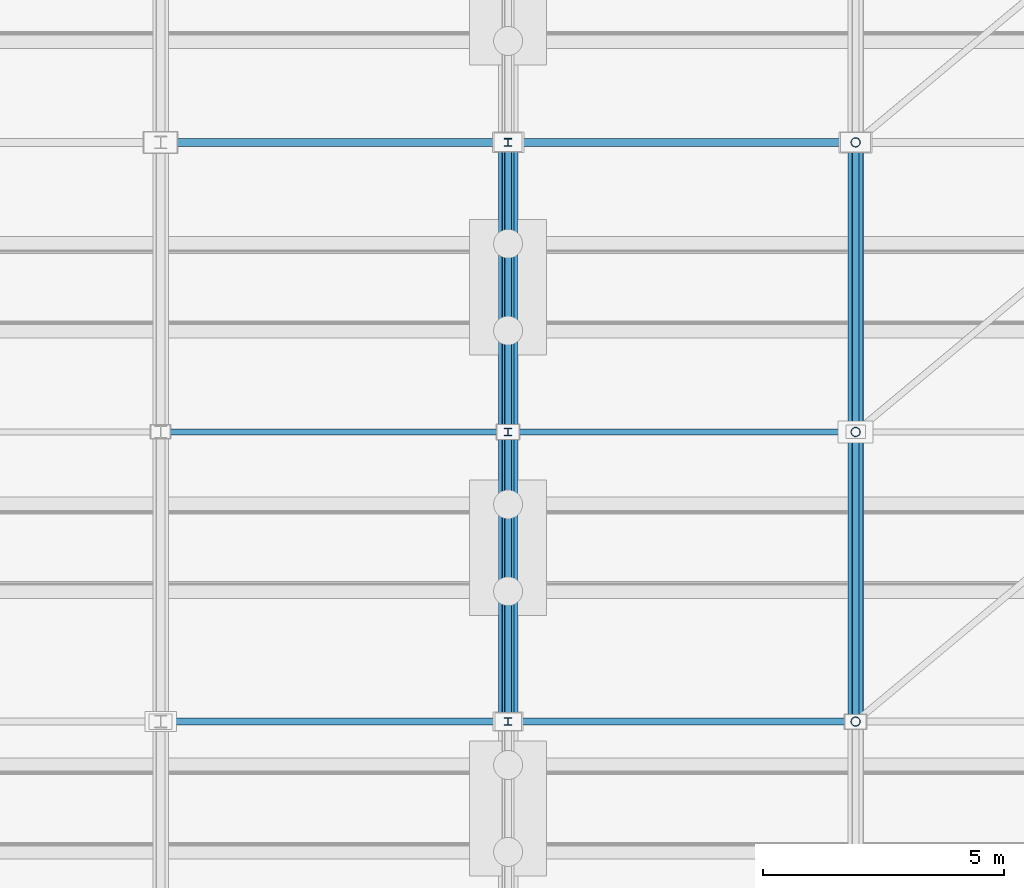
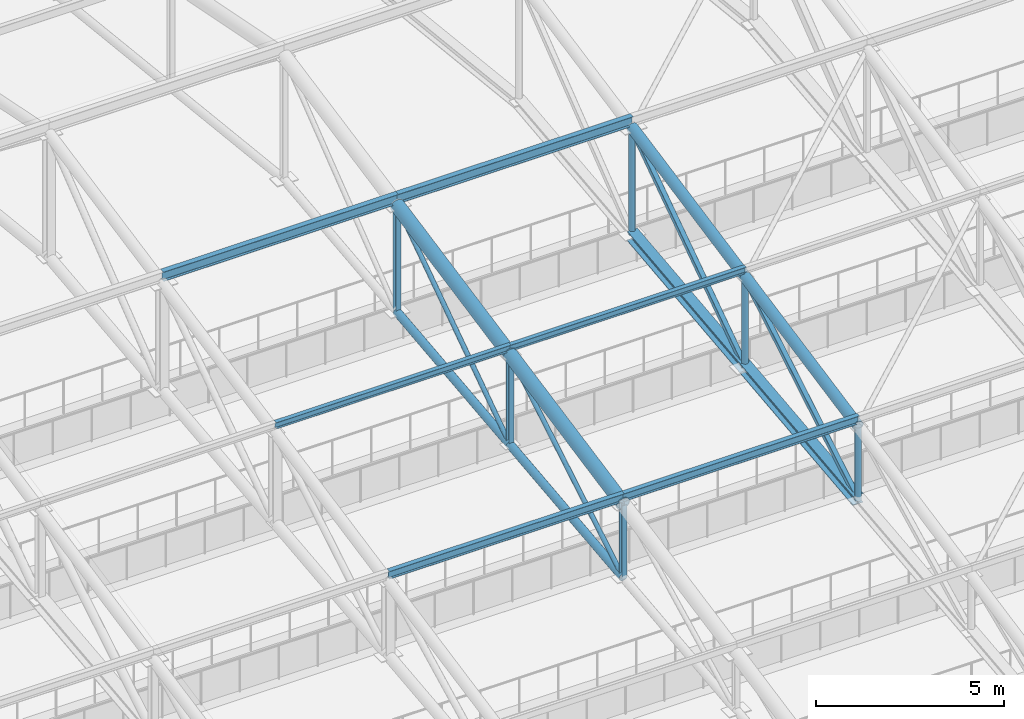
# One storey, part 144 of 293: 24 members.
"""IFC4 building model written with IfcOpenShell, lengths in metres."""

from ifc_helpers import new_model, si_unit, direction, frame, origin, origin_2d, place, context, subcontext, project, spatial, hollow_rectangle, hollow_circle, i_section, extrude, material, material_profile, profile_set, type_object, element, save


model = new_model("IFC4")

# Units and contexts
model_context = context("Model", 3, precision=1e-05, world=origin(), true_north=direction((0.0, 1.0)))
body_context = subcontext(model_context, "Body", "Model", "MODEL_VIEW")
ifc_project = project(units=[si_unit("LENGTHUNIT", "METRE"), si_unit("AREAUNIT", "SQUARE_METRE"), si_unit("VOLUMEUNIT", "CUBIC_METRE"), si_unit("PLANEANGLEUNIT", "RADIAN"), si_unit("MASSUNIT", "GRAM", prefix="KILO")], contexts=[model_context])

# Site, building, storey
site_placement = place(None, origin())
site = spatial("IfcSite", under=ifc_project, at=site_placement, CompositionType="ELEMENT")
building_placement = place(site_placement, origin())
building = spatial("IfcBuilding", under=site, at=building_placement, Name="Kemerveld Promenade Tramway Depot", CompositionType="ELEMENT")
storey_placement = place(building_placement, origin())
storey = spatial("IfcBuildingStorey", under=building, at=storey_placement, Name="L00", CompositionType="ELEMENT", Elevation=0.0)

# Members
ifc_material = material(Name="Steel S355", Category="steel")
ifc_material_profile_1 = material_profile(ifc_material, i_section(OverallWidth=0.154296875, OverallDepth=0.161865234375, WebThickness=0.008056640625, FlangeThickness=0.011474609375, FilletRadius=0.007568359375, at=origin_2d()), Name="152x152x37 UC")
ifc_profile_set_1 = profile_set([ifc_material_profile_1], Name="Steel S355")
member_type_1 = type_object("IfcMemberType", Name="MB-M05", PredefinedType="POST", material=ifc_profile_set_1)
member_1_placement = place(storey_placement, frame((100.800048828125, 96.0, 11.1201171875), z_axis=(0.0, 0.0, 1.0), x_axis=(1.0, 0.0, 0.0)))
element("IfcMember", 1, at=member_1_placement, inside=storey, type_object=member_type_1, Name="TR-15-VT-02", PredefinedType="POST", context=body_context, shape_type="SweptSolid", body=[
    extrude(i_section(OverallWidth=0.154296875, OverallDepth=0.161865234375, WebThickness=0.008056640625, FlangeThickness=0.011474609375, FilletRadius=0.007568359375, at=origin_2d()), origin(), (0.0, 0.0, 1.0), 2.3798828125),
])
member_2_placement = place(storey_placement, frame((100.800048828125, 102.0, 11.780029296875), z_axis=(0.0, 0.0, 1.0), x_axis=(1.0, 0.0, 0.0)))
element("IfcMember", 2, at=member_2_placement, inside=storey, type_object=member_type_1, Name="TR-15-VT-03", PredefinedType="POST", context=body_context, shape_type="SweptSolid", body=[
    extrude(i_section(OverallWidth=0.154296875, OverallDepth=0.161865234375, WebThickness=0.008056640625, FlangeThickness=0.011474609375, FilletRadius=0.007568359375, at=origin_2d()), origin(), (0.0, 0.0, 1.0), 2.919921875),
])
member_3_placement = place(storey_placement, frame((100.800048828125, 108.0, 12.43994140625), z_axis=(0.0, 0.0, 1.0), x_axis=(1.0, 0.0, 0.0)))
element("IfcMember", 3, at=member_3_placement, inside=storey, type_object=member_type_1, Name="TR-15-VT-04", PredefinedType="POST", context=body_context, shape_type="SweptSolid", body=[
    extrude(i_section(OverallWidth=0.154296875, OverallDepth=0.161865234375, WebThickness=0.008056640625, FlangeThickness=0.011474609375, FilletRadius=0.007568359375, at=origin_2d()), origin(), (0.0, 0.0, 1.0), 3.4599609375),
])
ifc_material_profile_2 = material_profile(ifc_material, i_section(OverallWidth=0.165771484375, OverallDepth=0.306640625, WebThickness=0.006591796875, FlangeThickness=0.01171875, FilletRadius=0.0087890625, at=origin_2d()), Name="305x165x46 UB")
ifc_profile_set_2 = profile_set([ifc_material_profile_2], Name="Steel S355")
member_type_2 = type_object("IfcMemberType", Name="MB-M06", PredefinedType="PURLIN", material=ifc_profile_set_2)
for number, where, z_axis, x_axis, name in (
    (4, (93.60009765625, 108.0, 16.14501953125), (1.0, 0.0, 0.0), (0.0, 1.0, 0.0), "PUR-V1-04-14"),
    (5, (100.800048828125, 108.0, 16.14501953125), (1.0, 0.0, 0.0), (0.0, 1.0, 0.0), "PUR-V1-04-15"),
):
    element("IfcMember", number, at=place(storey_placement, frame(where, z_axis=z_axis, x_axis=x_axis)), inside=storey, type_object=member_type_2, Name=name, PredefinedType="PURLIN", context=body_context, shape_type="SweptSolid", body=[
        extrude(i_section(OverallWidth=0.165771484375, OverallDepth=0.306640625, WebThickness=0.006591796875, FlangeThickness=0.01171875, FilletRadius=0.0087890625, at=origin_2d()), origin(), (0.0, 0.0, 1.0), 7.199951171875),
    ])
ifc_material_profile_3 = material_profile(ifc_material, i_section(OverallWidth=0.146484375, OverallDepth=0.256103515625, WebThickness=0.00634765625, FlangeThickness=0.010986328125, FilletRadius=0.007568359375, at=origin_2d()), Name="254x146x37 UB")
ifc_profile_set_3 = profile_set([ifc_material_profile_3], Name="Steel S355")
member_type_3 = type_object("IfcMemberType", Name="MB-PR3", PredefinedType="PURLIN", material=ifc_profile_set_3)
for number, where, z_axis, x_axis, name in (
    (6, (93.60009765625, 96.0, 13.7451171875), (1.0, 0.0, 0.0), (0.0, 1.0, 0.0), "PUR-V1-02-14"),
    (7, (100.800048828125, 96.0, 13.7451171875), (1.0, 0.0, 0.0), (0.0, 1.0, 0.0), "PUR-V1-02-15"),
):
    element("IfcMember", number, at=place(storey_placement, frame(where, z_axis=z_axis, x_axis=x_axis)), inside=storey, type_object=member_type_3, Name=name, PredefinedType="PURLIN", context=body_context, shape_type="SweptSolid", body=[
        extrude(i_section(OverallWidth=0.146484375, OverallDepth=0.256103515625, WebThickness=0.00634765625, FlangeThickness=0.010986328125, FilletRadius=0.007568359375, at=origin_2d()), origin(), (0.0, 0.0, 1.0), 7.199951171875),
    ])
ifc_material_profile_4 = material_profile(ifc_material, i_section(OverallWidth=0.13330078125, OverallDepth=0.203125, WebThickness=0.005615234375, FlangeThickness=0.0078125, FilletRadius=0.007568359375, at=origin_2d()), Name="203x133x25 UB")
ifc_profile_set_4 = profile_set([ifc_material_profile_4], Name="Steel S355")
member_type_4 = type_object("IfcMemberType", Name="MB-PR4", PredefinedType="PURLIN", material=ifc_profile_set_4)
for number, where, z_axis, x_axis, name in (
    (8, (93.60009765625, 102.0, 14.945068359375), (1.0, 0.0, 0.0), (0.0, 1.0, 0.0), "PUR-V1-03-14"),
    (9, (100.800048828125, 102.0, 14.945068359375), (1.0, 0.0, 0.0), (0.0, 1.0, 0.0), "PUR-V1-03-15"),
):
    element("IfcMember", number, at=place(storey_placement, frame(where, z_axis=z_axis, x_axis=x_axis)), inside=storey, type_object=member_type_4, Name=name, PredefinedType="PURLIN", context=body_context, shape_type="SweptSolid", body=[
        extrude(i_section(OverallWidth=0.13330078125, OverallDepth=0.203125, WebThickness=0.005615234375, FlangeThickness=0.0078125, FilletRadius=0.007568359375, at=origin_2d()), origin(), (0.0, 0.0, 1.0), 7.199951171875),
    ])
ifc_material_profile_5 = material_profile(ifc_material, hollow_circle(Radius=0.06982421875, WallThickness=0.00634765625, at=origin_2d()), Name="139.7x6.3 CHS")
ifc_profile_set_5 = profile_set([ifc_material_profile_5], Name="Steel S355")
member_type_5 = type_object("IfcMemberType", Name="MB-TB3", PredefinedType="BRACE", material=ifc_profile_set_5)
member_4_placement = place(storey_placement, frame((100.800048828125, 96.0, 11.1201171875), z_axis=(0.0, 0.8587636701, 0.512371895128), x_axis=(-1.0, 0.0, 0.0)))
element("IfcMember", 10, at=member_4_placement, inside=storey, type_object=member_type_5, Name="TR-15-DG-03", PredefinedType="BRACE", context=body_context, shape_type="SweptSolid", body=[
    extrude(hollow_circle(Radius=0.06982421875, WallThickness=0.00634765625, at=origin_2d()), origin(), (0.0, 0.0, 1.0), 6.98681640625),
])
member_5_placement = place(storey_placement, frame((100.800048828125, 102.0, 11.780029296875), z_axis=(0.0, 0.824370638462, 0.566050395673), x_axis=(-1.0, 0.0, 0.0)))
element("IfcMember", 11, at=member_5_placement, inside=storey, type_object=member_type_5, Name="TR-15-DG-04", PredefinedType="BRACE", context=body_context, shape_type="SweptSolid", body=[
    extrude(hollow_circle(Radius=0.06982421875, WallThickness=0.00634765625, at=origin_2d()), origin(), (0.0, 0.0, 1.0), 7.2783203125),
])
ifc_material_profile_6 = material_profile(ifc_material, hollow_rectangle(XDim=0.14990234375, YDim=0.14990234375, WallThickness=0.008056640625, InnerFilletRadius=0.00390625, OuterFilletRadius=0.011962890625, at=origin_2d()), Name="150x150x8.0 SHS")
ifc_profile_set_6 = profile_set([ifc_material_profile_6], Name="Steel S355")
member_type_6 = type_object("IfcMemberType", Name="MB-TB4", PredefinedType="BRACE", material=ifc_profile_set_6)
member_6_placement = place(storey_placement, frame((108.0, 96.0, 11.1201171875), z_axis=(0.0, 0.8587636701, 0.512371895128), x_axis=(-1.0, 0.0, 0.0)))
element("IfcMember", 12, at=member_6_placement, inside=storey, type_object=member_type_6, Name="TR-16-DG-03", PredefinedType="BRACE", context=body_context, shape_type="SweptSolid", body=[
    extrude(hollow_rectangle(XDim=0.14990234375, YDim=0.14990234375, WallThickness=0.008056640625, InnerFilletRadius=0.00390625, OuterFilletRadius=0.011962890625, at=origin_2d()), origin(), (0.0, 0.0, 1.0), 6.98681640625),
])
member_7_placement = place(storey_placement, frame((108.0, 102.0, 11.780029296875), z_axis=(0.0, 0.824370638462, 0.566050395673), x_axis=(-1.0, 0.0, 0.0)))
element("IfcMember", 13, at=member_7_placement, inside=storey, type_object=member_type_6, Name="TR-16-DG-04", PredefinedType="BRACE", context=body_context, shape_type="SweptSolid", body=[
    extrude(hollow_rectangle(XDim=0.14990234375, YDim=0.14990234375, WallThickness=0.008056640625, InnerFilletRadius=0.00390625, OuterFilletRadius=0.011962890625, at=origin_2d()), origin(), (0.0, 0.0, 1.0), 7.2783203125),
])
ifc_material_profile_7 = material_profile(ifc_material, hollow_circle(Radius=0.203125, WallThickness=0.01611328125, at=origin_2d()), Name="406.4x16.0 CHS")
ifc_profile_set_7 = profile_set([ifc_material_profile_7], Name="Steel S355")
member_type_7 = type_object("IfcMemberType", Name="MB-TC1", PredefinedType="CHORD", material=ifc_profile_set_7)
for number, where, z_axis, x_axis, name in (
    (14, (100.800048828125, 96.0, 13.5), (0.0, 0.980582210276, 0.196108462057), (-1.0, 0.0, 0.0), "TR-15-TC-03"),
    (15, (100.800048828125, 102.0, 14.699951171875), (0.0, 0.980582210276, 0.196108462057), (-1.0, 0.0, 0.0), "TR-15-TC-04"),
):
    element("IfcMember", number, at=place(storey_placement, frame(where, z_axis=z_axis, x_axis=x_axis)), inside=storey, type_object=member_type_7, Name=name, PredefinedType="CHORD", context=body_context, shape_type="SweptSolid", body=[
        extrude(hollow_circle(Radius=0.203125, WallThickness=0.01611328125, at=origin_2d()), origin(), (0.0, 0.0, 1.0), 6.118896484375),
    ])
ifc_material_profile_8 = material_profile(ifc_material, hollow_circle(Radius=0.161865234375, WallThickness=0.012451171875, at=origin_2d()), Name="323.9x12.5 CHS")
ifc_profile_set_8 = profile_set([ifc_material_profile_8], Name="Steel S355")
member_type_8 = type_object("IfcMemberType", Name="MB-TC2", PredefinedType="CHORD", material=ifc_profile_set_8)
for number, where, z_axis, x_axis, name in (
    (16, (108.0, 96.0, 13.5), (0.0, 0.980582210276, 0.196108462057), (-1.0, 0.0, 0.0), "TR-16-TC-03"),
    (17, (108.0, 102.0, 14.699951171875), (0.0, 0.980582210276, 0.196108462057), (-1.0, 0.0, 0.0), "TR-16-TC-04"),
):
    element("IfcMember", number, at=place(storey_placement, frame(where, z_axis=z_axis, x_axis=x_axis)), inside=storey, type_object=member_type_8, Name=name, PredefinedType="CHORD", context=body_context, shape_type="SweptSolid", body=[
        extrude(hollow_circle(Radius=0.161865234375, WallThickness=0.012451171875, at=origin_2d()), origin(), (0.0, 0.0, 1.0), 6.118896484375),
    ])
ifc_material_profile_9 = material_profile(ifc_material, hollow_circle(Radius=0.122314453125, WallThickness=0.010009765625, at=origin_2d()), Name="244.5x10.0 CHS")
ifc_profile_set_9 = profile_set([ifc_material_profile_9], Name="Steel S355")
member_type_9 = type_object("IfcMemberType", Name="MB-TC3", PredefinedType="CHORD", material=ifc_profile_set_9)
for number, where, z_axis, x_axis, name in (
    (18, (100.800048828125, 96.0, 11.1201171875), (0.0, 0.994005938353, 0.109326092585), (-1.0, 0.0, 0.0), "TR-15-BC-03"),
    (19, (100.800048828125, 102.0, 11.780029296875), (0.0, 0.994005938353, 0.109326092585), (-1.0, 0.0, 0.0), "TR-15-BC-04"),
):
    element("IfcMember", number, at=place(storey_placement, frame(where, z_axis=z_axis, x_axis=x_axis)), inside=storey, type_object=member_type_9, Name=name, PredefinedType="CHORD", context=body_context, shape_type="SweptSolid", body=[
        extrude(hollow_circle(Radius=0.122314453125, WallThickness=0.010009765625, at=origin_2d()), origin(), (0.0, 0.0, 1.0), 6.0361328125),
    ])
ifc_material_profile_10 = material_profile(ifc_material, i_section(OverallWidth=0.307373046875, OverallDepth=0.314453125, WebThickness=0.011962890625, FlangeThickness=0.018798828125, FilletRadius=0.01513671875, at=origin_2d()), Name="305x305x118 UC")
ifc_profile_set_10 = profile_set([ifc_material_profile_10], Name="Steel S355")
member_type_10 = type_object("IfcMemberType", Name="MB-TC4", PredefinedType="CHORD", material=ifc_profile_set_10)
for number, where, z_axis, x_axis, name in (
    (20, (108.0, 96.0, 11.1201171875), (0.0, 0.994005938353, 0.109326092585), (-1.0, 0.0, 0.0), "TR-16-BC-03"),
    (21, (108.0, 102.0, 11.780029296875), (0.0, 0.994005938353, 0.109326092585), (-1.0, 0.0, 0.0), "TR-16-BC-04"),
):
    element("IfcMember", number, at=place(storey_placement, frame(where, z_axis=z_axis, x_axis=x_axis)), inside=storey, type_object=member_type_10, Name=name, PredefinedType="CHORD", context=body_context, shape_type="SweptSolid", body=[
        extrude(i_section(OverallWidth=0.307373046875, OverallDepth=0.314453125, WebThickness=0.011962890625, FlangeThickness=0.018798828125, FilletRadius=0.01513671875, at=origin_2d()), origin(), (0.0, 0.0, 1.0), 6.0361328125),
    ])
ifc_material_profile_11 = material_profile(ifc_material, hollow_circle(Radius=0.096923828125, WallThickness=0.008056640625, at=origin_2d()), Name="193.7x8.0 CHS")
ifc_profile_set_11 = profile_set([ifc_material_profile_11], Name="Steel S355")
member_type_11 = type_object("IfcMemberType", Name="MB-TP1", PredefinedType="POST", material=ifc_profile_set_11)
member_8_placement = place(storey_placement, frame((108.0, 96.0, 11.1201171875), z_axis=(0.0, 0.0, 1.0), x_axis=(1.0, 0.0, 0.0)))
element("IfcMember", 22, at=member_8_placement, inside=storey, type_object=member_type_11, Name="TR-16-VT-02", PredefinedType="POST", context=body_context, shape_type="SweptSolid", body=[
    extrude(hollow_circle(Radius=0.096923828125, WallThickness=0.008056640625, at=origin_2d()), origin(), (0.0, 0.0, 1.0), 2.3798828125),
])
member_9_placement = place(storey_placement, frame((108.0, 102.0, 11.780029296875), z_axis=(0.0, 0.0, 1.0), x_axis=(1.0, 0.0, 0.0)))
element("IfcMember", 23, at=member_9_placement, inside=storey, type_object=member_type_11, Name="TR-16-VT-03", PredefinedType="POST", context=body_context, shape_type="SweptSolid", body=[
    extrude(hollow_circle(Radius=0.096923828125, WallThickness=0.008056640625, at=origin_2d()), origin(), (0.0, 0.0, 1.0), 2.919921875),
])
member_10_placement = place(storey_placement, frame((108.0, 108.0, 12.43994140625), z_axis=(0.0, 0.0, 1.0), x_axis=(1.0, 0.0, 0.0)))
element("IfcMember", 24, at=member_10_placement, inside=storey, type_object=member_type_11, Name="TR-16-VT-04", PredefinedType="POST", context=body_context, shape_type="SweptSolid", body=[
    extrude(hollow_circle(Radius=0.096923828125, WallThickness=0.008056640625, at=origin_2d()), origin(), (0.0, 0.0, 1.0), 3.4599609375),
])

save(model, "model.ifc")
